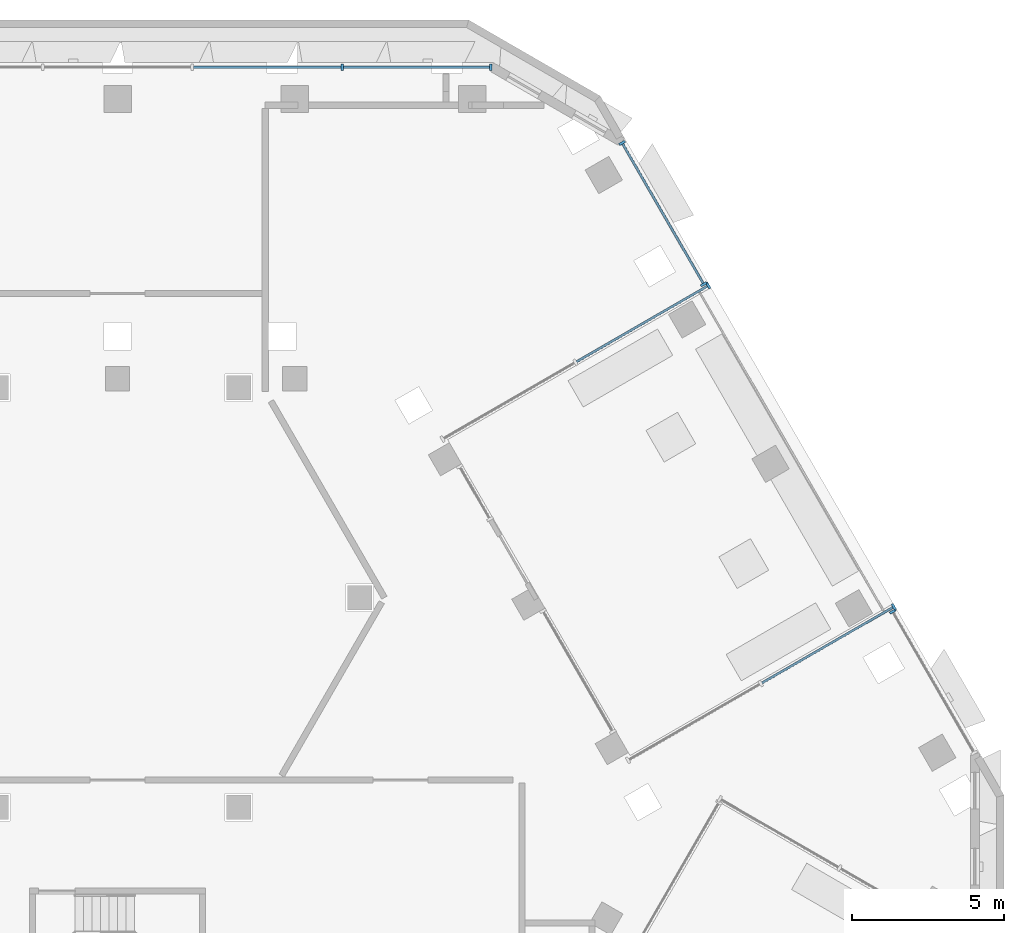
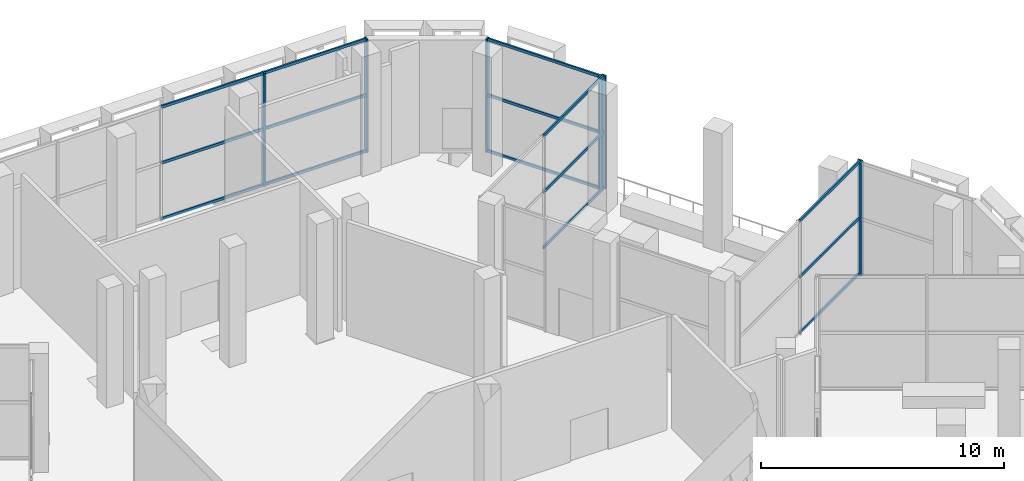
# One storey, part 6 of 27: 22 members, 5 elements without a shape of their own.
"""IFC4 building model written with IfcOpenShell, lengths in metres."""

from ifc_helpers import new_model, si_unit, direction, frame, origin, origin_2d, place, context, subcontext, project, spatial, rectangle, hollow_rectangle, extrude, material, material_profile, profile_set, type_object, element, aggregate, save


model = new_model("IFC4")

# Units and contexts
model_context = context("Model", 3, precision=1e-05, world=origin(), true_north=direction((0.0, 1.0)))
body_context = subcontext(model_context, "Body", "Model", "MODEL_VIEW")
ifc_project = project(units=[si_unit("LENGTHUNIT", "METRE"), si_unit("AREAUNIT", "SQUARE_METRE"), si_unit("VOLUMEUNIT", "CUBIC_METRE"), si_unit("PLANEANGLEUNIT", "RADIAN"), si_unit("MASSUNIT", "GRAM", prefix="KILO")], contexts=[model_context])

# Site, building, storey
site_placement = place(None, origin())
site = spatial("IfcSite", under=ifc_project, at=site_placement, CompositionType="ELEMENT")
building_placement = place(site_placement, origin())
building = spatial("IfcBuilding", under=site, at=building_placement, Name="Beryl Residences", CompositionType="ELEMENT")
storey_placement = place(building_placement, frame((0.0, 0.0, 111.60009765625)))
storey = spatial("IfcBuildingStorey", under=building, at=storey_placement, Name="L34", CompositionType="ELEMENT", Elevation=111.60009765625)

# Curtain wall, members
ifc_material_1 = material(Name="Aluminium and clear glass", Category="aluminium")
curtain_wall_type = type_object("IfcCurtainWallType", Name="CW3 sky garden glazing glazed wall", PredefinedType="NOTDEFINED", material=ifc_material_1)
curtain_wall_1_placement = place(storey_placement, origin())
curtain_wall_1 = element("IfcCurtainWall", 1, at=curtain_wall_1_placement, inside=storey, type_object=curtain_wall_type, Name="CW3 L34 N", PredefinedType="NOTDEFINED")
ifc_material_2 = material(Name="Aluminium", Category="aluminium")
ifc_material_profile_1 = material_profile(ifc_material_2, rectangle(XDim=0.080078125, YDim=0.219970703125, at=origin_2d()))
ifc_profile_set_1 = profile_set([ifc_material_profile_1], Name="Aluminium")
member_type_1 = type_object("IfcMemberType", Name="CW3-M mullion 80 x 220 mm", PredefinedType="MULLION", material=ifc_profile_set_1)
member_1_placement = place(storey_placement, frame((12.27490234375, 25.449951171875, 0.0), z_axis=(0.0, 0.0, 1.0), x_axis=(-1.0, 0.0, 0.0)))
member_1 = element("IfcMember", 2, at=member_1_placement, type_object=member_type_1, Name="CW3 mullion 1", PredefinedType="MULLION", context=body_context, shape_type="SweptSolid", body=[
    extrude(rectangle(XDim=0.080078125, YDim=0.219970703125, at=origin_2d()), origin(), (0.0, 0.0, 1.0), 5.699951171875),
])
member_2_placement = place(storey_placement, frame((7.388916015625, 25.449951171875, 0.0), z_axis=(0.0, 0.0, 1.0), x_axis=(-1.0, 0.0, 0.0)))
member_2 = element("IfcMember", 3, at=member_2_placement, type_object=member_type_1, Name="CW3 mullion 2", PredefinedType="MULLION", context=body_context, shape_type="SweptSolid", body=[
    extrude(rectangle(XDim=0.080078125, YDim=0.219970703125, at=origin_2d()), origin(), (0.0, 0.0, 1.0), 5.699951171875),
])

# Curtain wall, member
curtain_wall_2_placement = place(storey_placement, origin())
curtain_wall_2 = element("IfcCurtainWall", 4, at=curtain_wall_2_placement, inside=storey, type_object=curtain_wall_type, Name="CW3 L34 NE", PredefinedType="NOTDEFINED")
member_3_placement = place(storey_placement, frame((25.4951171875, 7.542236328125, 0.0), z_axis=(0.0, 0.0, 1.0), x_axis=(-0.499950258479, 0.866054120161, 0.0)))
member_3 = element("IfcMember", 5, at=member_3_placement, type_object=member_type_1, Name="CW3 mullion 2", PredefinedType="MULLION", context=body_context, shape_type="SweptSolid", body=[
    extrude(rectangle(XDim=0.080078125, YDim=0.219970703125, at=origin_2d()), origin(), (0.0, 0.0, 1.0), 5.699951171875),
])
aggregate(curtain_wall_2, [member_3])

# Curtain wall, members
curtain_wall_3_placement = place(storey_placement, origin())
curtain_wall_3 = element("IfcCurtainWall", 6, at=curtain_wall_3_placement, inside=storey, type_object=curtain_wall_type, Name="CW3 L34 NE", PredefinedType="NOTDEFINED")
member_4_placement = place(storey_placement, frame((19.280029296875, 18.3076171875, 0.0), z_axis=(0.0, 0.0, 1.0), x_axis=(-0.500087950699, 0.86597461947, 0.0)))
member_4 = element("IfcMember", 7, at=member_4_placement, type_object=member_type_1, Name="CW3 mullion 1", PredefinedType="MULLION", context=body_context, shape_type="SweptSolid", body=[
    extrude(rectangle(XDim=0.080078125, YDim=0.219970703125, at=origin_2d()), origin(), (0.0, 0.0, 1.0), 5.699951171875),
])
member_5_placement = place(storey_placement, frame((16.595947265625, 22.955322265625, 0.0), z_axis=(0.0, 0.0, 1.0), x_axis=(-0.500087950699, 0.86597461947, 0.0)))
member_5 = element("IfcMember", 8, at=member_5_placement, type_object=member_type_1, Name="CW3 mullion 2", PredefinedType="MULLION", context=body_context, shape_type="SweptSolid", body=[
    extrude(rectangle(XDim=0.080078125, YDim=0.219970703125, at=origin_2d()), origin(), (0.0, 0.0, 1.0), 5.699951171875),
])

# Curtain wall, member
curtain_wall_4_placement = place(storey_placement, origin())
curtain_wall_4 = element("IfcCurtainWall", 9, at=curtain_wall_4_placement, inside=storey, type_object=curtain_wall_type, Name="CW3 L34 NE garden left", PredefinedType="NOTDEFINED")
member_6_placement = place(storey_placement, frame((25.532470703125, 7.697021484375, 0.0), z_axis=(0.0, 0.0, 1.0), x_axis=(-0.866051386658, -0.499954993642, 0.0)))
member_6 = element("IfcMember", 10, at=member_6_placement, type_object=member_type_1, Name="CW3 mullion 1", PredefinedType="MULLION", context=body_context, shape_type="SweptSolid", body=[
    extrude(rectangle(XDim=0.080078125, YDim=0.219970703125, at=origin_2d()), origin(), (0.0, 0.0, 1.0), 5.699951171875),
])

curtain_wall_5_placement = place(storey_placement, origin())
curtain_wall_5 = element("IfcCurtainWall", 11, at=curtain_wall_5_placement, inside=storey, type_object=curtain_wall_type, Name="CW3 L34 NE garden right", PredefinedType="NOTDEFINED")
member_7_placement = place(storey_placement, frame((19.432373046875, 18.262939453125, 0.0), z_axis=(0.0, 0.0, 1.0), x_axis=(-0.866008831285, -0.500028703312, 0.0)))
member_7 = element("IfcMember", 12, at=member_7_placement, type_object=member_type_1, Name="CW3 mullion 1", PredefinedType="MULLION", context=body_context, shape_type="SweptSolid", body=[
    extrude(rectangle(XDim=0.080078125, YDim=0.219970703125, at=origin_2d()), origin(), (0.0, 0.0, 1.0), 5.699951171875),
])

# Member
ifc_material_3 = material(Name="Aluminium", Category="aluminium")
ifc_material_profile_2 = material_profile(ifc_material_3, hollow_rectangle(XDim=0.080078125, YDim=0.139892578125, WallThickness=0.00390625, at=origin_2d()))
ifc_profile_set_2 = profile_set([ifc_material_profile_2], Name="Aluminium")
member_type_2 = type_object("IfcMemberType", Name="CW3-T transom 80 x 140 mm", PredefinedType="USERDEFINED", material=ifc_profile_set_2)
member_8_placement = place(storey_placement, frame((12.235107421875, 25.449951171875, 0.039794921875), z_axis=(-1.0, 0.0, 0.0), x_axis=(0.0, -1.0, 0.0)))
member_8 = element("IfcMember", 13, at=member_8_placement, type_object=member_type_2, Name="CW3 transom 1.1", ObjectType="TRANSOM", PredefinedType="USERDEFINED", context=body_context, shape_type="SweptSolid", body=[
    extrude(hollow_rectangle(XDim=0.080078125, YDim=0.139892578125, WallThickness=0.00390625, at=origin_2d()), origin(), (0.0, 0.0, 1.0), 4.80615234375),
])

member_9_placement = place(storey_placement, frame((12.235107421875, 25.449951171875, 2.849853515625), z_axis=(-1.0, 0.0, 0.0), x_axis=(0.0, -1.0, 0.0)))
member_9 = element("IfcMember", 14, at=member_9_placement, type_object=member_type_2, Name="CW3 transom 1.2", ObjectType="TRANSOM", PredefinedType="USERDEFINED", context=body_context, shape_type="SweptSolid", body=[
    extrude(hollow_rectangle(XDim=0.080078125, YDim=0.139892578125, WallThickness=0.00390625, at=origin_2d()), origin(), (0.0, 0.0, 1.0), 4.80615234375),
])

member_10_placement = place(storey_placement, frame((12.235107421875, 25.449951171875, 5.659912109375), z_axis=(-1.0, 0.0, 0.0), x_axis=(0.0, -1.0, 0.0)))
member_10 = element("IfcMember", 15, at=member_10_placement, type_object=member_type_2, Name="CW3 transom 1.3", ObjectType="TRANSOM", PredefinedType="USERDEFINED", context=body_context, shape_type="SweptSolid", body=[
    extrude(hollow_rectangle(XDim=0.080078125, YDim=0.139892578125, WallThickness=0.00390625, at=origin_2d()), origin(), (0.0, 0.0, 1.0), 4.80615234375),
])

member_11_placement = place(storey_placement, frame((7.34912109375, 25.449951171875, 0.039794921875), z_axis=(-1.0, 0.0, 0.0), x_axis=(0.0, -1.0, 0.0)))
member_11 = element("IfcMember", 16, at=member_11_placement, type_object=member_type_2, Name="CW3 transom 2.1", ObjectType="TRANSOM", PredefinedType="USERDEFINED", context=body_context, shape_type="SweptSolid", body=[
    extrude(hollow_rectangle(XDim=0.080078125, YDim=0.139892578125, WallThickness=0.00390625, at=origin_2d()), origin(), (0.0, 0.0, 1.0), 4.84619140625),
])

member_12_placement = place(storey_placement, frame((7.34912109375, 25.449951171875, 2.849853515625), z_axis=(-1.0, 0.0, 0.0), x_axis=(0.0, -1.0, 0.0)))
member_12 = element("IfcMember", 17, at=member_12_placement, type_object=member_type_2, Name="CW3 transom 2.2", ObjectType="TRANSOM", PredefinedType="USERDEFINED", context=body_context, shape_type="SweptSolid", body=[
    extrude(hollow_rectangle(XDim=0.080078125, YDim=0.139892578125, WallThickness=0.00390625, at=origin_2d()), origin(), (0.0, 0.0, 1.0), 4.84619140625),
])

member_13_placement = place(storey_placement, frame((7.34912109375, 25.449951171875, 5.659912109375), z_axis=(-1.0, 0.0, 0.0), x_axis=(0.0, -1.0, 0.0)))
member_13 = element("IfcMember", 18, at=member_13_placement, type_object=member_type_2, Name="CW3 transom 2.3", ObjectType="TRANSOM", PredefinedType="USERDEFINED", context=body_context, shape_type="SweptSolid", body=[
    extrude(hollow_rectangle(XDim=0.080078125, YDim=0.139892578125, WallThickness=0.00390625, at=origin_2d()), origin(), (0.0, 0.0, 1.0), 4.84619140625),
])

aggregate(curtain_wall_1, [member_1, member_2, member_8, member_9, member_10, member_11, member_12, member_13])

member_14_placement = place(storey_placement, frame((19.260009765625, 18.34228515625, 0.039794921875), z_axis=(-0.500102178127, 0.865966403178, 0.0), x_axis=(-0.865966403178, -0.500102178127, 0.0)))
member_14 = element("IfcMember", 19, at=member_14_placement, type_object=member_type_2, Name="CW3 transom 1.1", ObjectType="TRANSOM", PredefinedType="USERDEFINED", context=body_context, shape_type="SweptSolid", body=[
    extrude(hollow_rectangle(XDim=0.080078125, YDim=0.139892578125, WallThickness=0.00390625, at=origin_2d()), origin(), (0.0, 0.0, 1.0), 5.287109375),
])

member_15_placement = place(storey_placement, frame((19.260009765625, 18.34228515625, 2.849853515625), z_axis=(-0.500102178127, 0.865966403178, 0.0), x_axis=(-0.865966403178, -0.500102178127, 0.0)))
member_15 = element("IfcMember", 20, at=member_15_placement, type_object=member_type_2, Name="CW3 transom 1.2", ObjectType="TRANSOM", PredefinedType="USERDEFINED", context=body_context, shape_type="SweptSolid", body=[
    extrude(hollow_rectangle(XDim=0.080078125, YDim=0.139892578125, WallThickness=0.00390625, at=origin_2d()), origin(), (0.0, 0.0, 1.0), 5.287109375),
])

member_16_placement = place(storey_placement, frame((19.260009765625, 18.34228515625, 5.659912109375), z_axis=(-0.500102178127, 0.865966403178, 0.0), x_axis=(-0.865966403178, -0.500102178127, 0.0)))
member_16 = element("IfcMember", 21, at=member_16_placement, type_object=member_type_2, Name="CW3 transom 1.3", ObjectType="TRANSOM", PredefinedType="USERDEFINED", context=body_context, shape_type="SweptSolid", body=[
    extrude(hollow_rectangle(XDim=0.080078125, YDim=0.139892578125, WallThickness=0.00390625, at=origin_2d()), origin(), (0.0, 0.0, 1.0), 5.287109375),
])

aggregate(curtain_wall_3, [member_4, member_5, member_14, member_15, member_16])

member_17_placement = place(storey_placement, frame((25.497802734375, 7.677001953125, 0.039794921875), z_axis=(-0.866069377039, -0.499923828353, 0.0), x_axis=(0.499923828353, -0.866069377039, 0.0)))
member_17 = element("IfcMember", 22, at=member_17_placement, type_object=member_type_2, Name="CW3 transom 1.1", ObjectType="TRANSOM", PredefinedType="USERDEFINED", context=body_context, shape_type="SweptSolid", body=[
    extrude(hollow_rectangle(XDim=0.080078125, YDim=0.139892578125, WallThickness=0.00390625, at=origin_2d()), origin(), (0.0, 0.0, 1.0), 4.967529296875),
])

member_18_placement = place(storey_placement, frame((25.497802734375, 7.677001953125, 2.849853515625), z_axis=(-0.866069377039, -0.499923828353, 0.0), x_axis=(0.499923828353, -0.866069377039, 0.0)))
member_18 = element("IfcMember", 23, at=member_18_placement, type_object=member_type_2, Name="CW3 transom 1.2", ObjectType="TRANSOM", PredefinedType="USERDEFINED", context=body_context, shape_type="SweptSolid", body=[
    extrude(hollow_rectangle(XDim=0.080078125, YDim=0.139892578125, WallThickness=0.00390625, at=origin_2d()), origin(), (0.0, 0.0, 1.0), 4.967529296875),
])

member_19_placement = place(storey_placement, frame((25.497802734375, 7.677001953125, 5.659912109375), z_axis=(-0.866069377039, -0.499923828353, 0.0), x_axis=(0.499923828353, -0.866069377039, 0.0)))
member_19 = element("IfcMember", 24, at=member_19_placement, type_object=member_type_2, Name="CW3 transom 1.3", ObjectType="TRANSOM", PredefinedType="USERDEFINED", context=body_context, shape_type="SweptSolid", body=[
    extrude(hollow_rectangle(XDim=0.080078125, YDim=0.139892578125, WallThickness=0.00390625, at=origin_2d()), origin(), (0.0, 0.0, 1.0), 4.967529296875),
])

aggregate(curtain_wall_4, [member_6, member_17, member_18, member_19])

member_20_placement = place(storey_placement, frame((19.397705078125, 18.242919921875, 0.039794921875), z_axis=(-0.866014530895, -0.500018831924, 0.0), x_axis=(0.500018831924, -0.866014530895, 0.0)))
member_20 = element("IfcMember", 25, at=member_20_placement, type_object=member_type_2, Name="CW3 transom 1.1", ObjectType="TRANSOM", PredefinedType="USERDEFINED", context=body_context, shape_type="SweptSolid", body=[
    extrude(hollow_rectangle(XDim=0.080078125, YDim=0.139892578125, WallThickness=0.00390625, at=origin_2d()), origin(), (0.0, 0.0, 1.0), 4.967529296875),
])

member_21_placement = place(storey_placement, frame((19.397705078125, 18.242919921875, 2.849853515625), z_axis=(-0.866014530895, -0.500018831924, 0.0), x_axis=(0.500018831924, -0.866014530895, 0.0)))
member_21 = element("IfcMember", 26, at=member_21_placement, type_object=member_type_2, Name="CW3 transom 1.2", ObjectType="TRANSOM", PredefinedType="USERDEFINED", context=body_context, shape_type="SweptSolid", body=[
    extrude(hollow_rectangle(XDim=0.080078125, YDim=0.139892578125, WallThickness=0.00390625, at=origin_2d()), origin(), (0.0, 0.0, 1.0), 4.967529296875),
])

member_22_placement = place(storey_placement, frame((19.397705078125, 18.242919921875, 5.659912109375), z_axis=(-0.866014530895, -0.500018831924, 0.0), x_axis=(0.500018831924, -0.866014530895, 0.0)))
member_22 = element("IfcMember", 27, at=member_22_placement, type_object=member_type_2, Name="CW3 transom 1.3", ObjectType="TRANSOM", PredefinedType="USERDEFINED", context=body_context, shape_type="SweptSolid", body=[
    extrude(hollow_rectangle(XDim=0.080078125, YDim=0.139892578125, WallThickness=0.00390625, at=origin_2d()), origin(), (0.0, 0.0, 1.0), 4.967529296875),
])

aggregate(curtain_wall_5, [member_7, member_20, member_21, member_22])

save(model, "model.ifc")
